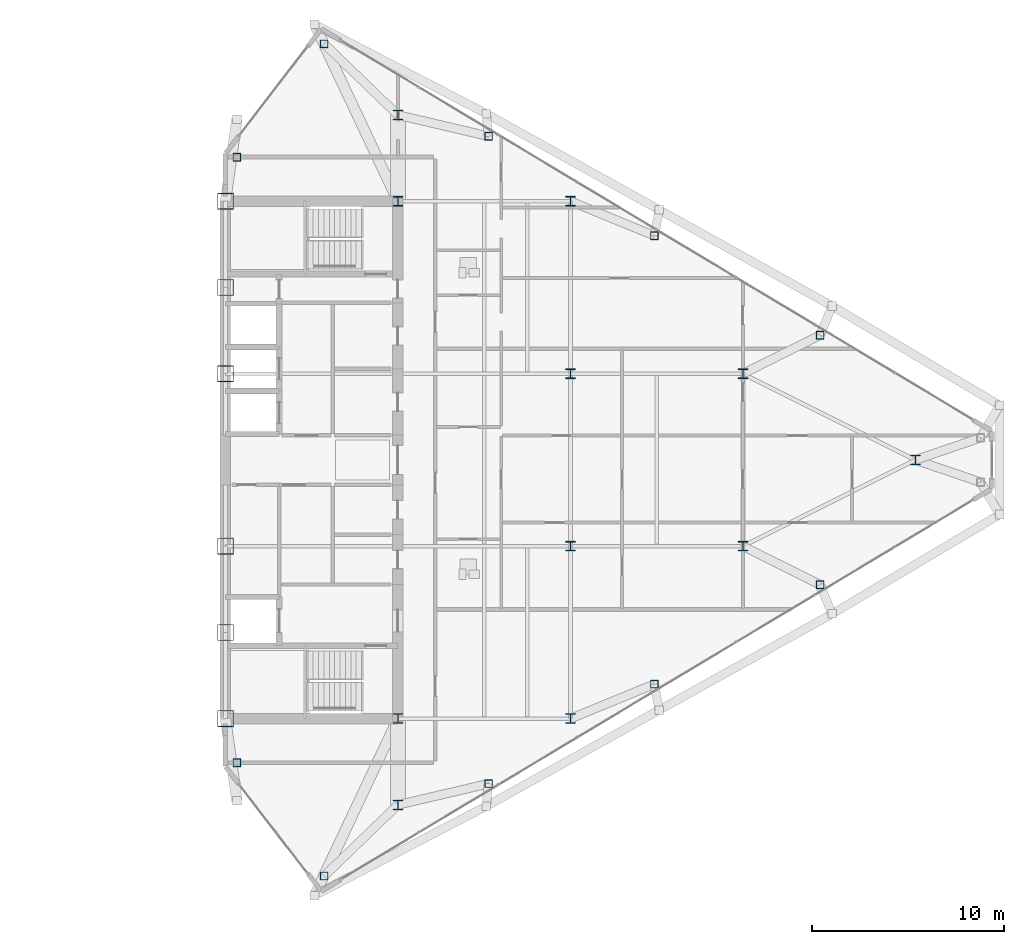
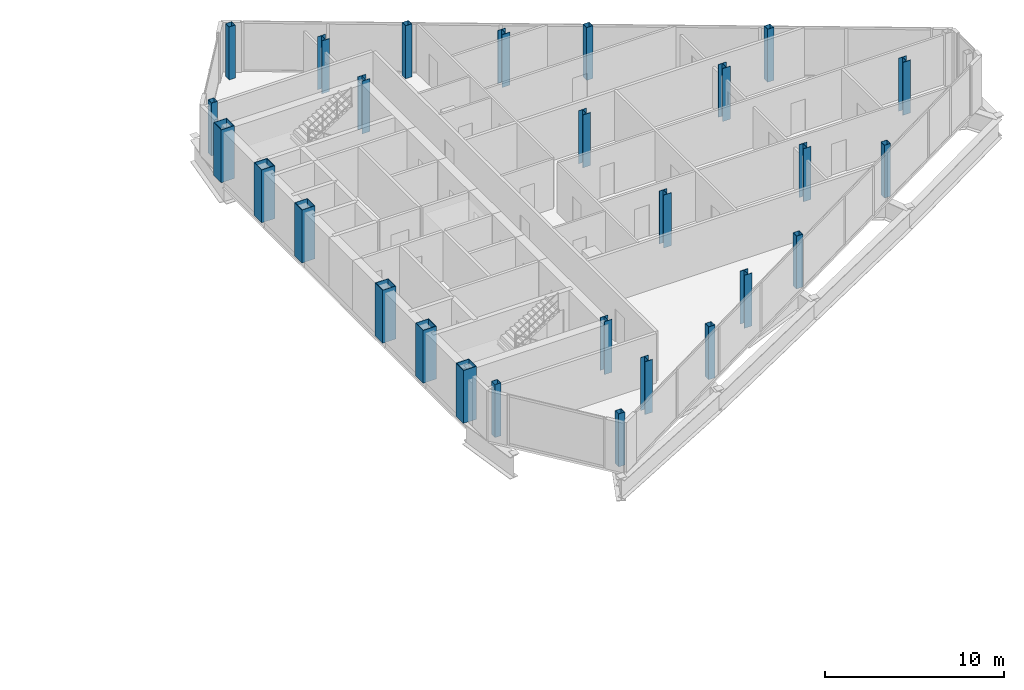
# One storey, part 3 of 29: 27 columns.
"""IFC4 building model written with IfcOpenShell, lengths in metres."""

import ifcopenshell
import ifcopenshell.guid

model = None  # the IFC model being written
_history = None  # IfcOwnerHistory: only IFC2X3 demands one
_inside = {}  # id of a spatial element -> (the spatial element, [elements in it])
_under = {}  # id of a project, library or spatial element -> (it, [spatial elements below it])
_declared = {}  # id of a project -> (the project, [libraries it declares])
_typed = {}  # id of a type object -> (the type object, [elements of that type])
_made_of = {}  # id of a material, layer set ... -> (it, [elements and type objects made of it])


def new_model(schema):
    """Start an empty IFC model of exactly this schema.

    Asked for "IFC4X3", IfcOpenShell would pick the latest addendum, in which some entities
    have other attributes; the version numbers below select the first issue.
    IFC2X3 requires an IfcOwnerHistory on every rooted entity: one is made here for all.
    """
    global model, _history
    if schema == "IFC4X3":
        model = ifcopenshell.file(schema_version=(4, 3, 0, 0))
    else:
        model = ifcopenshell.file(schema=schema)
    _inside.clear()
    _under.clear()
    _declared.clear()
    _typed.clear()
    _made_of.clear()
    _history = None
    if model.schema == "IFC2X3":
        org = make("IfcOrganization", Name="unknown")
        user = make(
            "IfcPersonAndOrganization",
            ThePerson=make("IfcPerson", FamilyName="unknown"),
            TheOrganization=org,
        )
        app = make(
            "IfcApplication",
            ApplicationDeveloper=org,
            Version="unknown",
            ApplicationFullName="unknown",
            ApplicationIdentifier="unknown",
        )
        _history = make(
            "IfcOwnerHistory",
            OwningUser=user,
            OwningApplication=app,
            ChangeAction="ADDED",
            CreationDate=0,
        )
    return model


def make(cls, **values):
    """One entity of the class cls with the attributes given. An attribute that is None is left unset."""
    return model.create_entity(
        cls, **{name: value for name, value in values.items() if value is not None}
    )


def rooted(cls, **values):
    """An entity with a GlobalId (a new one), such as an element, a storey or a relation."""
    return make(cls, GlobalId=ifcopenshell.guid.new(), OwnerHistory=_history, **values)


def si_unit(unit_type, name, prefix=None):
    """IfcSIUnit, for example si_unit("LENGTHUNIT", "METRE", prefix="MILLI")."""
    return make("IfcSIUnit", UnitType=unit_type, Prefix=prefix, Name=name)


def assignment(units):
    """IfcUnitAssignment: the units of a project."""
    return None if units is None else make("IfcUnitAssignment", Units=units)


def point(xyz):
    """IfcCartesianPoint."""
    return None if xyz is None else make("IfcCartesianPoint", Coordinates=xyz)


def direction(xyz):
    """IfcDirection."""
    return None if xyz is None else make("IfcDirection", DirectionRatios=xyz)


def frame(location, z_axis=None, x_axis=None):
    """IfcAxis2Placement3D, a coordinate frame: its origin and axes. An axis left out is left unset."""
    return make(
        "IfcAxis2Placement3D",
        Location=point(location),
        Axis=direction(z_axis),
        RefDirection=direction(x_axis),
    )


def frame_2d(location, x_axis=None):
    """IfcAxis2Placement2D, a coordinate frame in the plane: its origin and x axis."""
    return make(
        "IfcAxis2Placement2D", Location=point(location), RefDirection=direction(x_axis)
    )


def origin():
    """The frame at (0, 0, 0) with its axes left unset."""
    return frame((0.0, 0.0, 0.0))


def origin_2d():
    """The frame at (0, 0) in the plane with its x axis left unset."""
    return frame_2d((0.0, 0.0))


def place(relative_to, where):
    """IfcLocalPlacement: puts the frame where relative to a parent placement (None: the world)."""
    return make(
        "IfcLocalPlacement", PlacementRelTo=relative_to, RelativePlacement=where
    )


def context(
    kind, dimensions, precision=None, world=None, true_north=None, identifier=None
):
    """IfcGeometricRepresentationContext, for example the 3D "Model" context."""
    return make(
        "IfcGeometricRepresentationContext",
        ContextIdentifier=identifier,
        ContextType=kind,
        CoordinateSpaceDimension=dimensions,
        Precision=precision,
        WorldCoordinateSystem=world,
        TrueNorth=true_north,
    )


def subcontext(parent, identifier, kind, view, scale=None):
    """IfcGeometricRepresentationSubContext, for example "Body" below "Model"."""
    return make(
        "IfcGeometricRepresentationSubContext",
        ContextIdentifier=identifier,
        ContextType=kind,
        ParentContext=parent,
        TargetScale=scale,
        TargetView=view,
    )


def project(units=None, contexts=None):
    """IfcProject with its units and contexts."""
    return rooted(
        "IfcProject",
        Name="project",
        RepresentationContexts=contexts,
        UnitsInContext=assignment(units),
    )


def spatial(cls, under=None, at=None, **own):
    """A site, building, storey or space (cls), placed at a placement, below another one or the project."""
    s = rooted(cls, ObjectPlacement=at, **own)
    if under is not None:
        _under.setdefault(under.id(), (under, []))[1].append(s)
    return s


def profile(cls, at=None, kind="AREA", **sizes):
    """A parametric profile (cls). Its sizes go by their IFC names, for example OverallWidth=200.0."""
    return make(cls, ProfileType=kind, Position=at, **sizes)


def hollow_rectangle(**sizes):
    """IfcRectangleHollowProfileDef."""
    return profile("IfcRectangleHollowProfileDef", **sizes)


def i_section(**sizes):
    """IfcIShapeProfileDef."""
    return profile("IfcIShapeProfileDef", **sizes)


def extrude(swept, where, along, depth):
    """IfcExtrudedAreaSolid: the profile swept, set in the frame where, extruded along a direction by depth."""
    return make(
        "IfcExtrudedAreaSolid",
        SweptArea=swept,
        Position=where,
        ExtrudedDirection=direction(along),
        Depth=depth,
    )


def shape(context_of_items, identifier, shape_type, items):
    """IfcShapeRepresentation: the items that make up one representation, for example the "Body"."""
    return make(
        "IfcShapeRepresentation",
        ContextOfItems=context_of_items,
        RepresentationIdentifier=identifier,
        RepresentationType=shape_type,
        Items=items,
    )


def source(mapping_origin, context_of_items, identifier, shape_type, items):
    """IfcRepresentationMap: a shape defined once, which mapped items show again and again."""
    return make(
        "IfcRepresentationMap",
        MappingOrigin=mapping_origin,
        MappedRepresentation=shape(context_of_items, identifier, shape_type, items),
    )


def transform(
    local_origin,
    x_axis=None,
    y_axis=None,
    z_axis=None,
    scale=None,
    scale2=None,
    scale3=None,
    uniform=True,
):
    """IfcCartesianTransformationOperator3D, or its non-uniform kind. x_axis, y_axis, z_axis: its Axis1, 2, 3."""
    if uniform:
        return make(
            "IfcCartesianTransformationOperator3D",
            Axis1=direction(x_axis),
            Axis2=direction(y_axis),
            LocalOrigin=point(local_origin),
            Scale=scale,
            Axis3=direction(z_axis),
        )
    return make(
        "IfcCartesianTransformationOperator3DnonUniform",
        Axis1=direction(x_axis),
        Axis2=direction(y_axis),
        LocalOrigin=point(local_origin),
        Scale=scale,
        Axis3=direction(z_axis),
        Scale2=scale2,
        Scale3=scale3,
    )


def mapped(mapping_source, mapping_target):
    """IfcMappedItem: shows the shape of a source again, moved by a transform."""
    return make(
        "IfcMappedItem", MappingSource=mapping_source, MappingTarget=mapping_target
    )


def material(Name=None, Category=None):
    """IfcMaterial."""
    return make("IfcMaterial", Name=Name, Category=Category)


def material_profile(
    of_material, cross_section, Name=None, Category=None, Priority=None
):
    """IfcMaterialProfile: a cross section and its material."""
    return make(
        "IfcMaterialProfile",
        Name=Name,
        Material=of_material,
        Profile=cross_section,
        Priority=Priority,
        Category=Category,
    )


def profile_set(profiles, Name=None, composite=None):
    """IfcMaterialProfileSet."""
    return make(
        "IfcMaterialProfileSet",
        Name=Name,
        MaterialProfiles=profiles,
        CompositeProfile=composite,
    )


def made_of(thing, what):
    """Note that an element or type object is made of a material, layer set ...; save() writes the relation."""
    if what is not None:
        _made_of.setdefault(what.id(), (what, []))[1].append(thing)
    return thing


def type_object(cls, material=None, **own):
    """A type object (cls), such as IfcWallType, which elements share."""
    return made_of(rooted(cls, **own), material)


def type_shapes(of_type, sources):
    """Give a type object the sources (RepresentationMaps) that its elements show as mapped items."""
    of_type.RepresentationMaps = sources


def element(
    cls,
    number,
    at=None,
    inside=None,
    cuts=None,
    type_object=None,
    material=None,
    context=None,
    identifier="Body",
    shape_type=None,
    held_by="IfcProductDefinitionShape",
    body=None,
    shapes=None,
    **own,
):
    """One element of the class cls, such as IfcWall. Its Tag is "e" and its number.

    at: its placement. inside: the storey or other place that contains it. cuts: it is an
    opening in that element (IfcRelVoidsElement). A single representation is given by context,
    identifier, shape_type and body (its items); several are given by shapes. held_by: the class
    of the entity that holds the representations. save() writes the other relations.
    """
    e = rooted(cls, Tag="e%d" % number, ObjectPlacement=at, **own)
    if body is not None:
        shapes = [shape(context, identifier, shape_type, body)]
    if shapes is not None:
        e.Representation = make(held_by, Representations=shapes)
    if inside is not None:
        _inside.setdefault(inside.id(), (inside, []))[1].append(e)
    if cuts is not None:
        rooted(
            "IfcRelVoidsElement", RelatingBuildingElement=cuts, RelatedOpeningElement=e
        )
    if type_object is not None:
        _typed.setdefault(type_object.id(), (type_object, []))[1].append(e)
    return made_of(e, material)


def aggregate(whole, parts):
    """IfcRelAggregates: a whole, such as a stair, and the parts it consists of."""
    return rooted("IfcRelAggregates", RelatingObject=whole, RelatedObjects=parts)


def save(model, path):
    """Write the relations noted so far, then the file.

    IfcRelAggregates (storeys below a building ...), IfcRelContainedInSpatialStructure (elements
    in a storey), IfcRelDefinesByType, IfcRelAssociatesMaterial and IfcRelDeclares: one each for
    every whole, place, type object, material and project.
    """
    for whole, parts in _under.values():
        aggregate(whole, parts)
    for where, things in _inside.values():
        rooted(
            "IfcRelContainedInSpatialStructure",
            RelatedElements=things,
            RelatingStructure=where,
        )
    for kind, things in _typed.values():
        rooted("IfcRelDefinesByType", RelatedObjects=things, RelatingType=kind)
    for what, things in _made_of.values():
        rooted("IfcRelAssociatesMaterial", RelatedObjects=things, RelatingMaterial=what)
    for by, libraries in _declared.values():
        rooted("IfcRelDeclares", RelatingContext=by, RelatedDefinitions=libraries)
    model.write(path)


model = new_model("IFC4")

# Units and contexts
model_context = context("Model", 3, precision=1e-05, world=origin(), true_north=direction((0.0, 1.0)))
body_context = subcontext(model_context, "Body", "Model", "MODEL_VIEW")
ifc_project = project(units=[si_unit("LENGTHUNIT", "METRE"), si_unit("AREAUNIT", "SQUARE_METRE"), si_unit("VOLUMEUNIT", "CUBIC_METRE"), si_unit("PLANEANGLEUNIT", "RADIAN"), si_unit("MASSUNIT", "GRAM", prefix="KILO")], contexts=[model_context])

# Site, building, storey
site_placement = place(None, origin())
site = spatial("IfcSite", under=ifc_project, at=site_placement, CompositionType="ELEMENT")
building_placement = place(site_placement, origin())
building = spatial("IfcBuilding", under=site, at=building_placement, Name="Seokmaru Belvedere", CompositionType="ELEMENT")
storey_placement = place(building_placement, frame((0.0, 0.0, 195.89990234375)))
storey = spatial("IfcBuildingStorey", under=building, at=storey_placement, Name="L52", CompositionType="ELEMENT", Elevation=195.89990234375)

# Columns
ifc_material_1 = material(Name="Steel HSA650 (650 MPa)", Category="steel")
ifc_material_profile_1 = material_profile(ifc_material_1, hollow_rectangle(XDim=0.85009765625, YDim=0.85009765625, WallThickness=0.035888671875, at=origin_2d()), Name="BOX-850x850x36")
ifc_profile_set_1 = profile_set([ifc_material_profile_1], Name="Steel HSA650 (650 MPa)")
column_type_1 = type_object("IfcColumnType", Name="Portal Spine Column BOX-850", PredefinedType="COLUMN", material=ifc_profile_set_1)
shared_shape_1 = source(origin(), body_context, "Body", "SweptSolid", [
    extrude(hollow_rectangle(XDim=0.85009765625, YDim=0.85009765625, WallThickness=0.035888671875, at=origin_2d()), origin(), (0.0, 0.0, 1.0), 3.60009765625),
])
type_shapes(column_type_1, [shared_shape_1])
for number, where, z_axis, x_axis, name in (
    (1, (27.5, -13.5, 0.0), (0.0, 0.0, 1.0), (1.0, 0.0, 0.0), "L52 Column ES1"),
    (2, (27.5, -9.0, 0.0), (0.0, 0.0, 1.0), (1.0, 0.0, 0.0), "L52 Column ES2"),
    (3, (27.5, -4.5, 0.0), (0.0, 0.0, 1.0), (1.0, 0.0, 0.0), "L52 Column ES3"),
    (4, (27.5, 4.5, 0.0), (0.0, 0.0, 1.0), (1.0, 0.0, 0.0), "L52 Column ES4"),
    (5, (27.5, 9.0, 0.0), (0.0, 0.0, 1.0), (1.0, 0.0, 0.0), "L52 Column ES5"),
    (6, (27.5, 13.5, 0.0), (0.0, 0.0, 1.0), (1.0, 0.0, 0.0), "L52 Column ES6"),
):
    element("IfcColumn", number, at=place(storey_placement, frame(where, z_axis=z_axis, x_axis=x_axis)), inside=storey, type_object=column_type_1, Name=name, PredefinedType="COLUMN", context=body_context, shape_type="MappedRepresentation", body=[
        mapped(shared_shape_1, transform((0.0, 0.0, 0.0), scale=1.0)),
    ])
ifc_material_2 = material(Name="Steel SM355 (355 MPa)", Category="steel")
ifc_material_profile_2 = material_profile(ifc_material_2, i_section(OverallWidth=0.5, OverallDepth=0.5, WebThickness=0.02001953125, FlangeThickness=0.031982421875, at=origin_2d()), Name="H-500x500x20x32")
ifc_profile_set_2 = profile_set([ifc_material_profile_2], Name="Steel SM355 (355 MPa)")
column_type_2 = type_object("IfcColumnType", Name="High-Rise Interior Column H-500", PredefinedType="COLUMN", material=ifc_profile_set_2)
shared_shape_2 = source(origin(), body_context, "Body", "SweptSolid", [
    extrude(i_section(OverallWidth=0.5, OverallDepth=0.5, WebThickness=0.02001953125, FlangeThickness=0.031982421875, at=origin_2d()), origin(), (0.0, 0.0, 1.0), 3.60009765625),
])
type_shapes(column_type_2, [shared_shape_2])
for number, where, z_axis, x_axis, name in (
    (7, (36.5, -18.0, 0.0), (0.0, 0.0, 1.0), (1.0, 0.0, 0.0), "L52 Column EC1"),
    (8, (36.5, -13.5, 0.0), (0.0, 0.0, 1.0), (1.0, 0.0, 0.0), "L52 Column EC2"),
    (9, (36.5, 13.5, 0.0), (0.0, 0.0, 1.0), (1.0, 0.0, 0.0), "L52 Column EC3"),
    (10, (36.5, 18.0, 0.0), (0.0, 0.0, 1.0), (1.0, 0.0, 0.0), "L52 Column EC4"),
    (11, (45.5, -13.5, 0.0), (0.0, 0.0, 1.0), (1.0, 0.0, 0.0), "L52 Column EG5_1"),
    (12, (45.5, -4.5, 0.0), (0.0, 0.0, 1.0), (1.0, 0.0, 0.0), "L52 Column EG5_2"),
    (13, (45.5, 4.5, 0.0), (0.0, 0.0, 1.0), (1.0, 0.0, 0.0), "L52 Column EG5_3"),
    (14, (45.5, 13.5, 0.0), (0.0, 0.0, 1.0), (1.0, 0.0, 0.0), "L52 Column EG5_4"),
    (15, (54.5, -4.5, 0.0), (0.0, 0.0, 1.0), (1.0, 0.0, 0.0), "L52 Column EG4P_1"),
    (16, (54.5, 4.5, 0.0), (0.0, 0.0, 1.0), (1.0, 0.0, 0.0), "L52 Column EG4P_2"),
    (17, (63.5, 0.0, 0.0), (0.0, 0.0, 1.0), (1.0, 0.0, 0.0), "L52 Column EG3P_1"),
):
    element("IfcColumn", number, at=place(storey_placement, frame(where, z_axis=z_axis, x_axis=x_axis)), inside=storey, type_object=column_type_2, Name=name, PredefinedType="COLUMN", context=body_context, shape_type="MappedRepresentation", body=[
        mapped(shared_shape_2, transform((0.0, 0.0, 0.0), scale=1.0)),
    ])
ifc_material_profile_3 = material_profile(ifc_material_2, hollow_rectangle(XDim=0.39990234375, YDim=0.39990234375, WallThickness=0.01611328125, at=origin_2d()), Name="HSS-400x400x16")
ifc_profile_set_3 = profile_set([ifc_material_profile_3], Name="Steel SM355 (355 MPa)")
column_type_3 = type_object("IfcColumnType", Name="Perimeter Facet Column HSS-400", PredefinedType="COLUMN", material=ifc_profile_set_3)
shared_shape_3 = source(origin(), body_context, "Body", "SweptSolid", [
    extrude(hollow_rectangle(XDim=0.39990234375, YDim=0.39990234375, WallThickness=0.01611328125, at=origin_2d()), origin(), (0.0, 0.0, 1.0), 3.60009765625),
])
type_shapes(column_type_3, [shared_shape_3])
for number, where, z_axis, x_axis, name in (
    (18, (32.649658203125, -21.71044921875, 0.0), (0.0, 0.0, 1.0), (1.0, 0.0, 0.0), "L52 Column EF1"),
    (19, (32.649658203125, 21.71044921875, 0.0), (0.0, 0.0, 1.0), (1.0, 0.0, 0.0), "L52 Column EF4"),
    (20, (28.10009765625, 15.7958984375, 0.0), (0.0, 0.0, 1.0), (1.0, 0.0, 0.0), "L52 Column EF5"),
    (21, (28.10009765625, -15.7958984375, 0.0), (0.0, 0.0, 1.0), (1.0, 0.0, 0.0), "L52 Column EF6"),
    (22, (41.229736328125, -16.888916015625, 0.0), (0.0, 0.0, 1.0), (1.0, 0.0, 0.0), "L52 Column EFLK_S1"),
    (23, (49.8798828125, -11.698974609375, 0.0), (0.0, 0.0, 1.0), (1.0, 0.0, 0.0), "L52 Column EFLK_S2"),
    (24, (58.530029296875, -6.5087890625, 0.0), (0.0, 0.0, 1.0), (1.0, 0.0, 0.0), "L52 Column EFLK_S3"),
    (25, (41.229736328125, 16.888916015625, 0.0), (0.0, 0.0, 1.0), (1.0, 0.0, 0.0), "L52 Column EFLK_N1"),
    (26, (49.8798828125, 11.698974609375, 0.0), (0.0, 0.0, 1.0), (1.0, 0.0, 0.0), "L52 Column EFLK_N2"),
    (27, (58.530029296875, 6.5087890625, 0.0), (0.0, 0.0, 1.0), (1.0, 0.0, 0.0), "L52 Column EFLK_N3"),
):
    element("IfcColumn", number, at=place(storey_placement, frame(where, z_axis=z_axis, x_axis=x_axis)), inside=storey, type_object=column_type_3, Name=name, PredefinedType="COLUMN", context=body_context, shape_type="MappedRepresentation", body=[
        mapped(shared_shape_3, transform((0.0, 0.0, 0.0), scale=1.0)),
    ])

save(model, "model.ifc")
